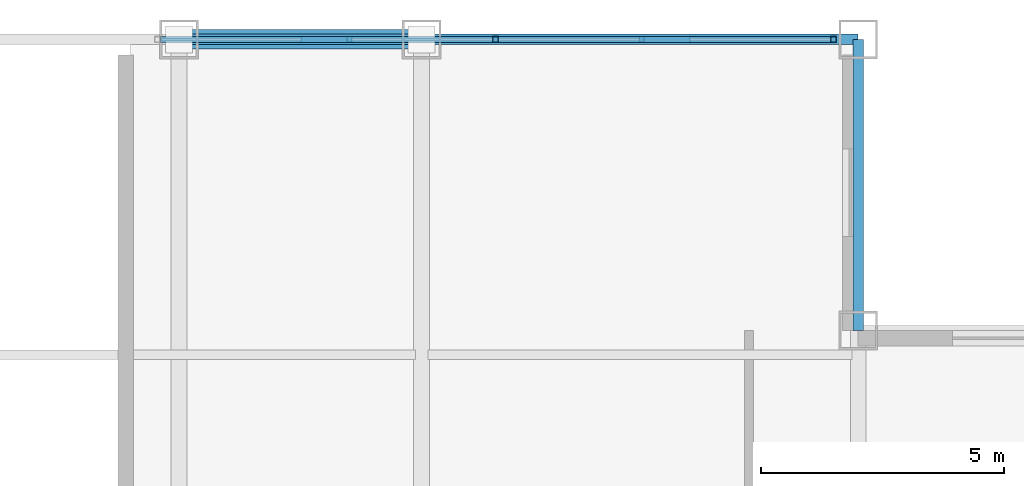
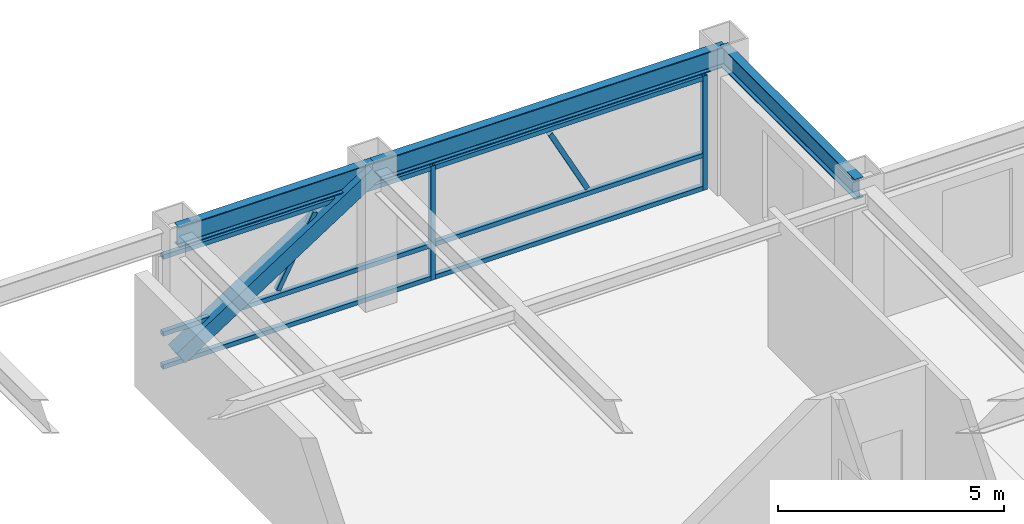
# One storey, part 23 of 29: 11 members, 3 beams, 1 element without a shape of its own.
"""IFC4 building model written with IfcOpenShell, lengths in metres."""

from ifc_helpers import new_model, si_unit, direction, frame, origin, origin_2d, place, context, subcontext, project, spatial, hollow_rectangle, i_section, extrude, source, transform, mapped, material, material_profile, profile_set, type_object, element, aggregate, save


model = new_model("IFC4")

# Units and contexts
model_context = context("Model", 3, precision=1e-05, world=origin(), true_north=direction((0.0, 1.0)))
body_context = subcontext(model_context, "Body", "Model", "MODEL_VIEW")
ifc_project = project(units=[si_unit("LENGTHUNIT", "METRE"), si_unit("AREAUNIT", "SQUARE_METRE"), si_unit("VOLUMEUNIT", "CUBIC_METRE"), si_unit("PLANEANGLEUNIT", "RADIAN"), si_unit("MASSUNIT", "GRAM", prefix="KILO")], contexts=[model_context])

# Site, building, storey
site_placement = place(None, origin())
site = spatial("IfcSite", under=ifc_project, at=site_placement, CompositionType="ELEMENT")
building_placement = place(site_placement, origin())
building = spatial("IfcBuilding", under=site, at=building_placement, Name="Khorayat Bourse Tower", CompositionType="ELEMENT")
storey_placement = place(building_placement, frame((0.0, 0.0, 354.300048828125)))
storey = spatial("IfcBuildingStorey", under=building, at=storey_placement, Name="L84", CompositionType="ELEMENT", Elevation=354.300048828125)

# Beams
ifc_material_1 = material(Name="Steel ASTM A992 Grade 50", Category="steel")
ifc_material_profile_1 = material_profile(ifc_material_1, i_section(OverallWidth=0.214111328125, OverallDepth=0.549072265625, WebThickness=0.0146484375, FlangeThickness=0.023681640625, FilletRadius=0.013916015625, at=origin_2d()), Name="W530X138")
ifc_profile_set_1 = profile_set([ifc_material_profile_1], Name="Steel ASTM A992 Grade 50")
beam_type = type_object("IfcBeamType", Name="BM-SPAN-530", PredefinedType="SPANDREL", material=ifc_profile_set_1)
shared_shape_1 = source(origin(), body_context, "Body", "SweptSolid", [
    extrude(i_section(OverallWidth=0.214111328125, OverallDepth=0.549072265625, WebThickness=0.0146484375, FlangeThickness=0.023681640625, FilletRadius=0.013916015625, at=origin_2d()), origin(), (0.0, 0.0, 1.0), 9.0),
])
beam_1_placement = place(storey_placement, frame((11.0, 26.0, 3.46533203125), z_axis=(1.0, 0.0, 0.0), x_axis=(0.0, 1.0, 0.0)))
element("IfcBeam", 1, at=beam_1_placement, inside=storey, type_object=beam_type, Name="L84 BM-SPAN-530 BM-L84-SPN-040", PredefinedType="SPANDREL", context=body_context, shape_type="MappedRepresentation", body=[
    mapped(shared_shape_1, transform((0.0, 0.0, 0.0), scale=1.0)),
])
shared_shape_2 = source(origin(), body_context, "Body", "SweptSolid", [
    extrude(i_section(OverallWidth=0.214111328125, OverallDepth=0.549072265625, WebThickness=0.0146484375, FlangeThickness=0.023681640625, FilletRadius=0.013916015625, at=origin_2d()), origin(), (0.0, 0.0, 1.0), 5.0),
])
beam_2_placement = place(storey_placement, frame((6.0, 26.0, 3.46533203125), z_axis=(1.0, 0.0, 0.0), x_axis=(0.0, 1.0, 0.0)))
element("IfcBeam", 2, at=beam_2_placement, inside=storey, type_object=beam_type, Name="L84 BM-SPAN-530 BM-L84-SPN-041", PredefinedType="SPANDREL", context=body_context, shape_type="MappedRepresentation", body=[
    mapped(shared_shape_2, transform((0.0, 0.0, 0.0), scale=1.0)),
])
shared_shape_3 = source(origin(), body_context, "Body", "SweptSolid", [
    extrude(i_section(OverallWidth=0.214111328125, OverallDepth=0.549072265625, WebThickness=0.0146484375, FlangeThickness=0.023681640625, FilletRadius=0.013916015625, at=origin_2d()), origin(), (0.0, 0.0, 1.0), 6.0),
])
beam_3_placement = place(storey_placement, frame((20.0, 20.0, 3.46533203125), z_axis=(0.0, 1.0, 0.0), x_axis=(-1.0, 0.0, 0.0)))
element("IfcBeam", 3, at=beam_3_placement, inside=storey, type_object=beam_type, Name="L84 BM-SPAN-530 BM-L84-SPN-039", PredefinedType="SPANDREL", context=body_context, shape_type="MappedRepresentation", body=[
    mapped(shared_shape_3, transform((0.0, 0.0, 0.0), scale=1.0)),
])

# Member
ifc_material_2 = material(Name="Steel EN 10025-4 S460M", Category="steel")
ifc_material_profile_2 = material_profile(ifc_material_2, hollow_rectangle(XDim=0.39990234375, YDim=0.39990234375, WallThickness=0.02197265625, at=origin_2d()), Name="HSS 400x400x22")
ifc_profile_set_2 = profile_set([ifc_material_profile_2], Name="Steel EN 10025-4 S460M")
member_type_1 = type_object("IfcMemberType", Name="MBR-TUBE-400", PredefinedType="BRACE", material=ifc_profile_set_2)
shared_shape_4 = source(origin(), body_context, "Body", "SweptSolid", [
    extrude(hollow_rectangle(XDim=0.39990234375, YDim=0.39990234375, WallThickness=0.02197265625, at=origin_2d()), origin(), (0.0, 0.0, 1.0), 5.9580078125),
])
member_1_placement = place(storey_placement, frame((6.0, 26.0, 0.25), z_axis=(0.839210474455, 0.0, 0.543806748364), x_axis=(0.0, 1.0, 0.0)))
element("IfcMember", 4, at=member_1_placement, inside=storey, type_object=member_type_1, Name="L84 Perimeter Tube Brace 04", PredefinedType="BRACE", context=body_context, shape_type="MappedRepresentation", body=[
    mapped(shared_shape_4, transform((0.0, 0.0, 0.0), scale=1.0)),
])

# Curtain wall, members
ifc_material_3 = material(Name="Aluminium EN AW-6063 T6", Category="aluminium")
curtain_wall_type = type_object("IfcCurtainWallType", Name="CW-SYS-06", PredefinedType="NOTDEFINED", material=ifc_material_3)
curtain_wall_placement = place(storey_placement, origin())
curtain_wall = element("IfcCurtainWall", 5, at=curtain_wall_placement, inside=storey, type_object=curtain_wall_type, Name="L84 Curtain Wall CW-L84-N2", PredefinedType="NOTDEFINED")
ifc_material_profile_3 = material_profile(ifc_material_3, hollow_rectangle(XDim=0.1201171875, YDim=0.1201171875, WallThickness=0.0048828125, at=origin_2d()), Name="ALU 120x120x5")
ifc_profile_set_3 = profile_set([ifc_material_profile_3], Name="Aluminium EN AW-6063 T6")
member_type_2 = type_object("IfcMemberType", Name="CWM-VERT-120", PredefinedType="MULLION", material=ifc_profile_set_3)
shared_shape_5 = source(origin(), body_context, "Body", "SweptSolid", [
    extrude(hollow_rectangle(XDim=0.1201171875, YDim=0.1201171875, WallThickness=0.0048828125, at=origin_2d()), origin(), (0.0, 0.0, 1.0), 3.08984375),
])
member_2_placement = place(storey_placement, frame((19.489990234375, 26.0, 0.0), z_axis=(0.0, 0.0, 1.0), x_axis=(0.0, -1.0, 0.0)))
member_2 = element("IfcMember", 6, at=member_2_placement, type_object=member_type_2, Name="CW-L84-N2 Vertical Mullion 1", PredefinedType="MULLION", context=body_context, shape_type="MappedRepresentation", body=[
    mapped(shared_shape_5, transform((0.0, 0.0, 0.0), scale=1.0)),
])
member_3_placement = place(storey_placement, frame((12.52490234375, 26.0, 0.0), z_axis=(0.0, 0.0, 1.0), x_axis=(0.0, -1.0, 0.0)))
member_3 = element("IfcMember", 7, at=member_3_placement, type_object=member_type_2, Name="CW-L84-N2 Vertical Mullion 2", PredefinedType="MULLION", context=body_context, shape_type="MappedRepresentation", body=[
    mapped(shared_shape_5, transform((0.0, 0.0, 0.0), scale=1.0)),
])
ifc_material_profile_4 = material_profile(ifc_material_3, hollow_rectangle(XDim=0.1201171875, YDim=0.1201171875, WallThickness=0.0048828125, at=origin_2d()), Name="ALU 120x120x5")
ifc_profile_set_4 = profile_set([ifc_material_profile_4], Name="Aluminium EN AW-6063 T6")
member_type_3 = type_object("IfcMemberType", Name="CWM-DIAG-120", PredefinedType="MULLION", material=ifc_profile_set_4)
shared_shape_6 = source(origin(), body_context, "Body", "SweptSolid", [
    extrude(hollow_rectangle(XDim=0.1201171875, YDim=0.1201171875, WallThickness=0.0048828125, at=origin_2d()), origin(), (0.0, 0.0, 1.0), 2.0341796875),
])
member_4_placement = place(storey_placement, frame((16.481201171875, 26.0, 1.08984375), z_axis=(-0.465696964104, 0.0, 0.884944256789), x_axis=(0.0, -1.0, 0.0)))
member_4 = element("IfcMember", 8, at=member_4_placement, type_object=member_type_3, Name="CW-L84-N2 Faceted Diagonal Mullion 1", PredefinedType="MULLION", context=body_context, shape_type="MappedRepresentation", body=[
    mapped(shared_shape_6, transform((0.0, 0.0, 0.0), scale=1.0)),
])
member_5_placement = place(storey_placement, frame((8.56884765625, 26.0, 1.08984375), z_axis=(0.465696964104, 0.0, 0.884944256789), x_axis=(0.0, 1.0, 0.0)))
member_5 = element("IfcMember", 9, at=member_5_placement, type_object=member_type_3, Name="CW-L84-N2 Faceted Diagonal Mullion 2", PredefinedType="MULLION", context=body_context, shape_type="MappedRepresentation", body=[
    mapped(shared_shape_6, transform((0.0, 0.0, 0.0), scale=1.0)),
])
ifc_material_profile_5 = material_profile(ifc_material_3, hollow_rectangle(XDim=0.1201171875, YDim=0.1201171875, WallThickness=0.0048828125, at=origin_2d()), Name="ALU 120x120x5")
ifc_profile_set_5 = profile_set([ifc_material_profile_5], Name="Aluminium EN AW-6063 T6")
member_type_4 = type_object("IfcMemberType", Name="CWT-HORZ-120", PredefinedType="USERDEFINED", material=ifc_profile_set_5)
shared_shape_7 = source(origin(), body_context, "Body", "SweptSolid", [
    extrude(hollow_rectangle(XDim=0.1201171875, YDim=0.1201171875, WallThickness=0.0048828125, at=origin_2d()), origin(), (0.0, 0.0, 1.0), 6.844970703125),
])
member_6_placement = place(storey_placement, frame((19.429931640625, 26.0, 0.06005859375), z_axis=(-1.0, 0.0, 0.0), x_axis=(0.0, -1.0, 0.0)))
member_6 = element("IfcMember", 10, at=member_6_placement, type_object=member_type_4, Name="CW-L84-N2 Horizontal Transom 1-1", ObjectType="TRANSOM", PredefinedType="USERDEFINED", context=body_context, shape_type="MappedRepresentation", body=[
    mapped(shared_shape_7, transform((0.0, 0.0, 0.0), scale=1.0)),
])
member_7_placement = place(storey_placement, frame((19.429931640625, 26.0, 0.949951171875), z_axis=(-1.0, 0.0, 0.0), x_axis=(0.0, -1.0, 0.0)))
member_7 = element("IfcMember", 11, at=member_7_placement, type_object=member_type_4, Name="CW-L84-N2 Horizontal Transom 1-2", ObjectType="TRANSOM", PredefinedType="USERDEFINED", context=body_context, shape_type="MappedRepresentation", body=[
    mapped(shared_shape_7, transform((0.0, 0.0, 0.0), scale=1.0)),
])
member_8_placement = place(storey_placement, frame((19.429931640625, 26.0, 3.030029296875), z_axis=(-1.0, 0.0, 0.0), x_axis=(0.0, -1.0, 0.0)))
member_8 = element("IfcMember", 12, at=member_8_placement, type_object=member_type_4, Name="CW-L84-N2 Horizontal Transom 1-3", ObjectType="TRANSOM", PredefinedType="USERDEFINED", context=body_context, shape_type="MappedRepresentation", body=[
    mapped(shared_shape_7, transform((0.0, 0.0, 0.0), scale=1.0)),
])
member_9_placement = place(storey_placement, frame((12.465087890625, 26.0, 0.06005859375), z_axis=(-1.0, 0.0, 0.0), x_axis=(0.0, -1.0, 0.0)))
member_9 = element("IfcMember", 13, at=member_9_placement, type_object=member_type_4, Name="CW-L84-N2 Horizontal Transom 2-1", ObjectType="TRANSOM", PredefinedType="USERDEFINED", context=body_context, shape_type="MappedRepresentation", body=[
    mapped(shared_shape_7, transform((0.0, 0.0, 0.0), scale=1.0)),
])
member_10_placement = place(storey_placement, frame((12.465087890625, 26.0, 0.949951171875), z_axis=(-1.0, 0.0, 0.0), x_axis=(0.0, -1.0, 0.0)))
member_10 = element("IfcMember", 14, at=member_10_placement, type_object=member_type_4, Name="CW-L84-N2 Horizontal Transom 2-2", ObjectType="TRANSOM", PredefinedType="USERDEFINED", context=body_context, shape_type="MappedRepresentation", body=[
    mapped(shared_shape_7, transform((0.0, 0.0, 0.0), scale=1.0)),
])
member_11_placement = place(storey_placement, frame((12.465087890625, 26.0, 3.030029296875), z_axis=(-1.0, 0.0, 0.0), x_axis=(0.0, -1.0, 0.0)))
member_11 = element("IfcMember", 15, at=member_11_placement, type_object=member_type_4, Name="CW-L84-N2 Horizontal Transom 2-3", ObjectType="TRANSOM", PredefinedType="USERDEFINED", context=body_context, shape_type="MappedRepresentation", body=[
    mapped(shared_shape_7, transform((0.0, 0.0, 0.0), scale=1.0)),
])
aggregate(curtain_wall, [member_2, member_3, member_6, member_7, member_8, member_4, member_9, member_10, member_11, member_5])

save(model, "model.ifc")
